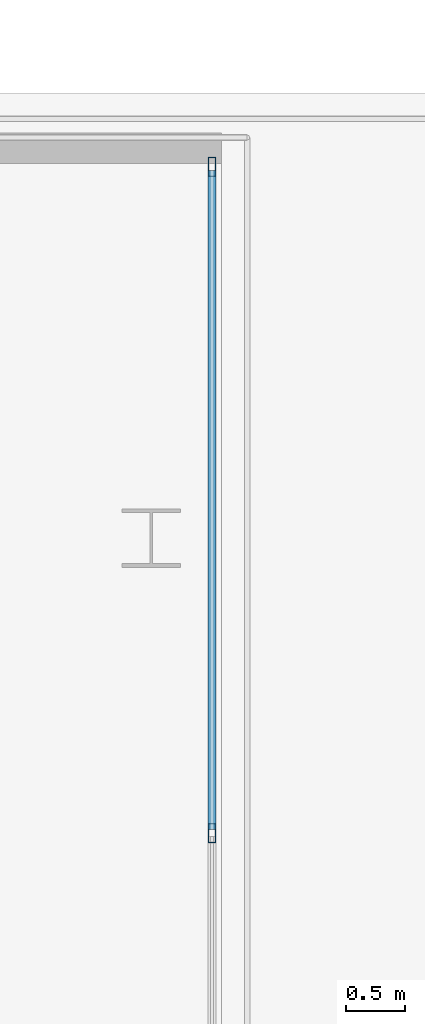
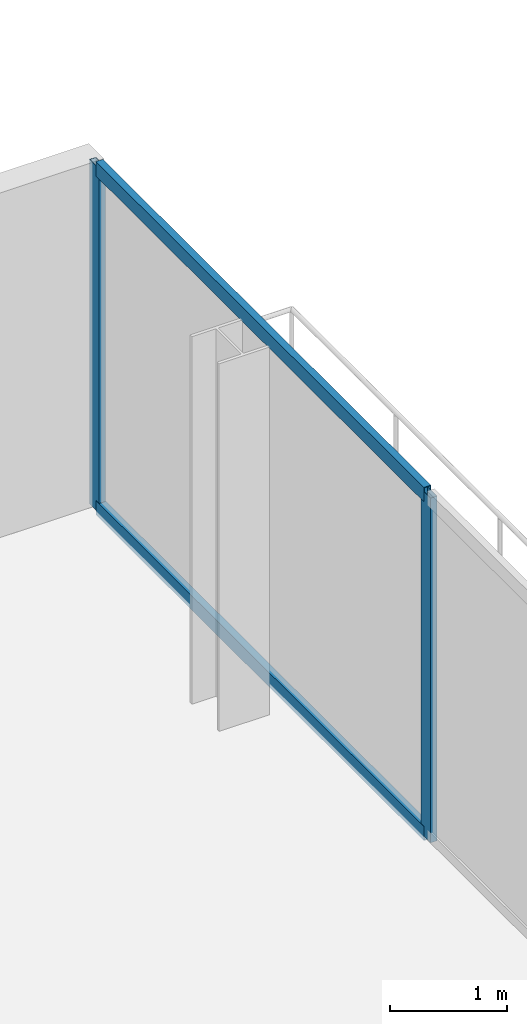
# One storey, part 14 of 21: 4 members, 1 element without a shape of its own.
"""IFC4 building model written with IfcOpenShell, lengths in metres."""

from ifc_helpers import new_model, si_unit, direction, frame, origin, origin_2d, place, context, subcontext, project, spatial, hollow_rectangle, extrude, material, layer, layer_set, material_profile, profile_set, type_object, element, aggregate, save


model = new_model("IFC4")

# Units and contexts
model_context = context("Model", 3, precision=1e-05, world=origin(), true_north=direction((0.0, 1.0)))
body_context = subcontext(model_context, "Body", "Model", "MODEL_VIEW")
ifc_project = project(units=[si_unit("LENGTHUNIT", "METRE"), si_unit("AREAUNIT", "SQUARE_METRE"), si_unit("VOLUMEUNIT", "CUBIC_METRE"), si_unit("PLANEANGLEUNIT", "RADIAN"), si_unit("MASSUNIT", "GRAM", prefix="KILO")], contexts=[model_context])

# Site, building, storey
site_placement = place(None, origin())
site = spatial("IfcSite", under=ifc_project, at=site_placement, CompositionType="ELEMENT")
building_placement = place(site_placement, origin())
building = spatial("IfcBuilding", under=site, at=building_placement, Name="Maruvema Waterfront Hotel and Observation Tower", CompositionType="ELEMENT")
storey_placement = place(building_placement, frame((0.0, 0.0, 322.0)))
storey = spatial("IfcBuildingStorey", under=building, at=storey_placement, Name="L79", CompositionType="ELEMENT", Elevation=322.0)

# Curtain wall, members
ifc_material_1 = material(Name="Anodised bronze aluminium and solar-control low-E IGU", Category="aluminium")
ifc_layer = layer(ifc_material_1, 0.159912109375, Name="Zone 4 Sky Residence Inner Curtain Wall System CW-05")
ifc_layer_set = layer_set([ifc_layer], Name="Anodised bronze aluminium and solar-control low-E IGU")
curtain_wall_type = type_object("IfcCurtainWallType", Name="Zone 4 Sky Residence Inner Curtain Wall System CW-05", PredefinedType="USERDEFINED", material=ifc_layer_set)
curtain_wall_placement = place(storey_placement, origin())
curtain_wall = element("IfcCurtainWall", 1, at=curtain_wall_placement, inside=storey, type_object=curtain_wall_type, Name="L79 Curtain Wall CW-L79-E", ObjectType="UNITISED CURTAIN WALL", PredefinedType="USERDEFINED")
ifc_material_2 = material(Name="Anodised architectural bronze aluminium", Category="aluminium")
ifc_material_profile_1 = material_profile(ifc_material_2, hollow_rectangle(XDim=0.070068359375, YDim=0.14990234375, WallThickness=0.00390625, at=origin_2d()), Name="ALU-T70x150")
ifc_profile_set_1 = profile_set([ifc_material_profile_1], Name="Anodised architectural bronze aluminium")
member_type_1 = type_object("IfcMemberType", Name="Curtain Wall Horizontal Transom ALU-T70x150", PredefinedType="USERDEFINED", material=ifc_profile_set_1)
member_1_placement = place(storey_placement, frame((57.820068359375, 42.510009765625, 0.030029296875), z_axis=(0.0, 1.0, 0.0), x_axis=(-1.0, 0.0, 0.0)))
member_1 = element("IfcMember", 2, at=member_1_placement, type_object=member_type_1, Name="CW-05 transom 5.1", ObjectType="TRANSOM", PredefinedType="USERDEFINED", context=body_context, shape_type="SweptSolid", body=[
    extrude(hollow_rectangle(XDim=0.070068359375, YDim=0.14990234375, WallThickness=0.00390625, at=origin_2d()), origin(), (0.0, 0.0, 1.0), 5.6298828125),
])
member_2_placement = place(storey_placement, frame((57.820068359375, 42.510009765625, 3.580078125), z_axis=(0.0, 1.0, 0.0), x_axis=(-1.0, 0.0, 0.0)))
member_2 = element("IfcMember", 3, at=member_2_placement, type_object=member_type_1, Name="CW-05 transom 5.2", ObjectType="TRANSOM", PredefinedType="USERDEFINED", context=body_context, shape_type="SweptSolid", body=[
    extrude(hollow_rectangle(XDim=0.070068359375, YDim=0.14990234375, WallThickness=0.00390625, at=origin_2d()), origin(), (0.0, 0.0, 1.0), 5.6298828125),
])
ifc_material_3 = material(Name="Anodised architectural bronze aluminium", Category="aluminium")
ifc_material_profile_2 = material_profile(ifc_material_3, hollow_rectangle(XDim=0.06494140625, YDim=0.1650390625, WallThickness=0.00390625, at=origin_2d()), Name="ALU-M65x165")
ifc_profile_set_2 = profile_set([ifc_material_profile_2], Name="Anodised architectural bronze aluminium")
member_type_2 = type_object("IfcMemberType", Name="Curtain Wall Primary Mullion ALU-M65x165", PredefinedType="MULLION", material=ifc_profile_set_2)
member_3_placement = place(storey_placement, frame((57.820068359375, 42.47998046875, 0.0), z_axis=(0.0, 0.0, 1.0), x_axis=(-1.0, 0.0, 0.0)))
member_3 = element("IfcMember", 4, at=member_3_placement, type_object=member_type_2, Name="CW-05 mullion 5", PredefinedType="MULLION", context=body_context, shape_type="SweptSolid", body=[
    extrude(hollow_rectangle(XDim=0.06494140625, YDim=0.1650390625, WallThickness=0.00390625, at=origin_2d()), origin(), (0.0, 0.0, 1.0), 3.610107421875),
])
member_4_placement = place(storey_placement, frame((57.820068359375, 48.169921875, 0.0), z_axis=(0.0, 0.0, 1.0), x_axis=(-1.0, 0.0, 0.0)))
member_4 = element("IfcMember", 5, at=member_4_placement, type_object=member_type_2, Name="CW-05 mullion 6", PredefinedType="MULLION", context=body_context, shape_type="SweptSolid", body=[
    extrude(hollow_rectangle(XDim=0.06494140625, YDim=0.1650390625, WallThickness=0.00390625, at=origin_2d()), origin(), (0.0, 0.0, 1.0), 3.610107421875),
])
aggregate(curtain_wall, [member_3, member_4, member_1, member_2])

save(model, "model.ifc")
